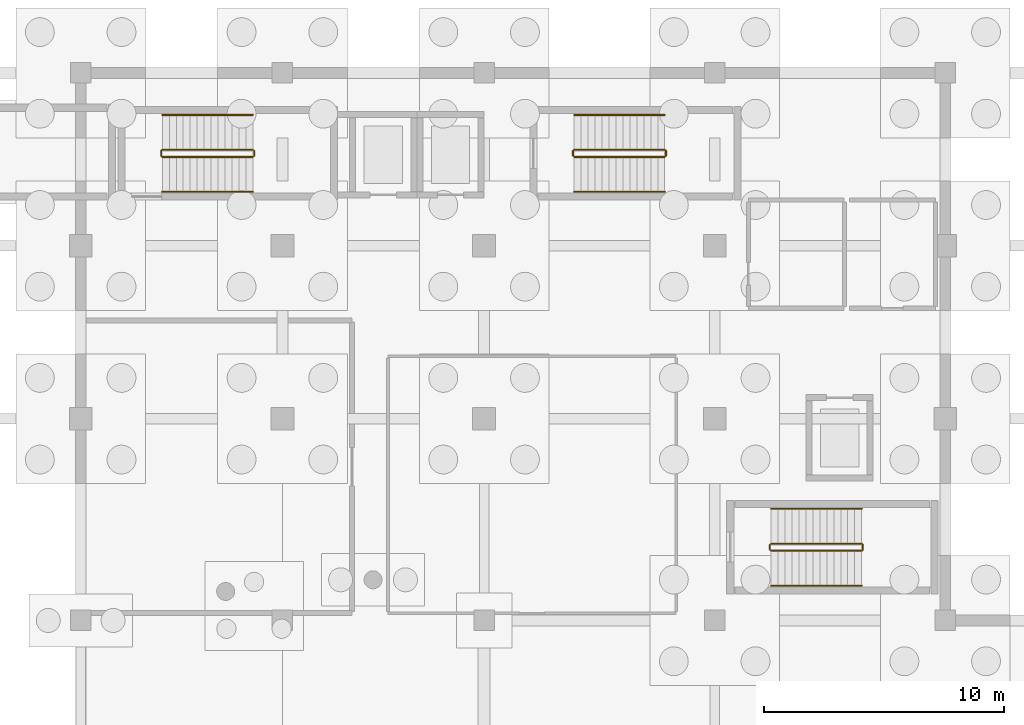
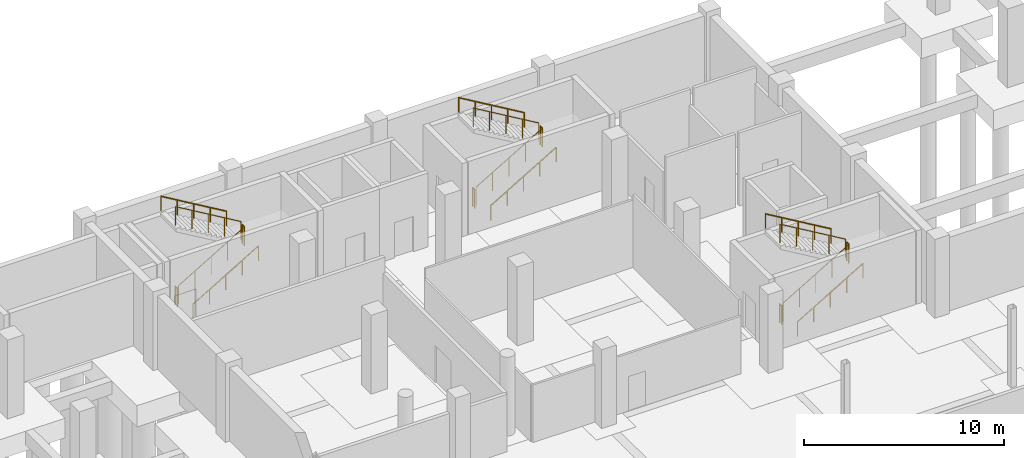
# One storey, part 43 of 44: 18 railings.
"""IFC4 building model written with IfcOpenShell, lengths in metres."""

from ifc_helpers import new_model, si_unit, direction, frame, origin, origin_2d, place, context, subcontext, project, spatial, circle, extrude, material, type_object, element, save


model = new_model("IFC4")

# Units and contexts
model_context = context("Model", 3, precision=1e-05, world=origin(), true_north=direction((0.0, 1.0)))
body_context = subcontext(model_context, "Body", "Model", "MODEL_VIEW")
ifc_project = project(units=[si_unit("LENGTHUNIT", "METRE"), si_unit("AREAUNIT", "SQUARE_METRE"), si_unit("VOLUMEUNIT", "CUBIC_METRE"), si_unit("PLANEANGLEUNIT", "RADIAN"), si_unit("MASSUNIT", "GRAM", prefix="KILO")], contexts=[model_context])

# Site, building, storey
site_placement = place(None, origin())
site = spatial("IfcSite", under=ifc_project, at=site_placement, CompositionType="ELEMENT")
building_placement = place(site_placement, origin())
building = spatial("IfcBuilding", under=site, at=building_placement, Name="Kisaragi Civic Commons", CompositionType="ELEMENT")
storey_placement = place(building_placement, frame((0.0, 0.0, -4.800048828125)))
storey = spatial("IfcBuildingStorey", under=building, at=storey_placement, Name="B1", CompositionType="ELEMENT", Elevation=-4.800048828125)

# Railings
ifc_material = material(Name="Powder-coated architectural steel and hinoki cap rail", Category="steel")
railing_type_1 = type_object("IfcRailingType", Name="GRD-S1", PredefinedType="GUARDRAIL", material=ifc_material)
railing_1_placement = place(storey_placement, frame((100.60009765625, 115.300048828125, 0.17138671875)))
element("IfcRailing", 1, at=railing_1_placement, inside=storey, type_object=railing_type_1, Name="B1 ST-L1 stair guard 1", PredefinedType="GUARDRAIL", context=body_context, shape_type="SweptSolid", body=[
    extrude(circle(Radius=0.02392578125, at=origin_2d()), frame((0.0, 0.0, 1.1259765625), z_axis=(0.860824410104, 0.0, 0.508902087802), x_axis=(0.0, 1.0, 0.0)), (0.0, 0.0, 1.0), 4.379638671875),
    extrude(circle(Radius=0.02099609375, at=origin_2d()), origin(), (0.0, 0.0, 1.0), 1.101806640625),
    extrude(circle(Radius=0.02099609375, at=origin_2d()), frame((0.9423828125, 0.0, 0.55712890625)), (0.0, 0.0, 1.0), 1.101806640625),
    extrude(circle(Radius=0.02099609375, at=origin_2d()), frame((1.885009765625, 0.0, 1.1142578125)), (0.0, 0.0, 1.0), 1.101806640625),
    extrude(circle(Radius=0.02099609375, at=origin_2d()), frame((2.82763671875, 0.0, 1.671630859375)), (0.0, 0.0, 1.0), 1.101806640625),
    extrude(circle(Radius=0.02099609375, at=origin_2d()), frame((3.77001953125, 0.0, 2.228759765625)), (0.0, 0.0, 1.0), 1.101806640625),
])
railing_2_placement = place(storey_placement, frame((104.419921875, 115.35009765625, 2.400146484375)))
element("IfcRailing", 2, at=railing_2_placement, inside=storey, type_object=railing_type_1, Name="B1 ST-L1 stair guard 2", PredefinedType="GUARDRAIL", context=body_context, shape_type="SweptSolid", body=[
    extrude(circle(Radius=0.02392578125, at=origin_2d()), frame((0.0, 0.0, 1.1259765625), z_axis=(0.0, 1.0, 0.0), x_axis=(-1.0, 0.0, 0.0)), (0.0, 0.0, 1.0), 0.199951171875),
    extrude(circle(Radius=0.02099609375, at=origin_2d()), origin(), (0.0, 0.0, 1.0), 1.101806640625),
    extrude(circle(Radius=0.02099609375, at=origin_2d()), frame((0.0, 0.199951171875, 0.0)), (0.0, 0.0, 1.0), 1.101806640625),
])
railing_3_placement = place(storey_placement, frame((104.3701171875, 115.60009765625, 2.571533203125)))
element("IfcRailing", 3, at=railing_3_placement, inside=storey, type_object=railing_type_1, Name="B1 ST-L1 stair guard 3", PredefinedType="GUARDRAIL", context=body_context, shape_type="SweptSolid", body=[
    extrude(circle(Radius=0.02392578125, at=origin_2d()), frame((0.0, 0.0, 1.1259765625), z_axis=(-0.860848830602, 0.0, 0.508860777473), x_axis=(0.0, -1.0, 0.0)), (0.0, 0.0, 1.0), 4.37939453125),
    extrude(circle(Radius=0.02099609375, at=origin_2d()), origin(), (0.0, 0.0, 1.0), 1.101806640625),
    extrude(circle(Radius=0.02099609375, at=origin_2d()), frame((-0.9423828125, 0.0, 0.55712890625)), (0.0, 0.0, 1.0), 1.101806640625),
    extrude(circle(Radius=0.02099609375, at=origin_2d()), frame((-1.885009765625, 0.0, 1.1142578125)), (0.0, 0.0, 1.0), 1.101806640625),
    extrude(circle(Radius=0.02099609375, at=origin_2d()), frame((-2.82763671875, 0.0, 1.67138671875)), (0.0, 0.0, 1.0), 1.101806640625),
    extrude(circle(Radius=0.02099609375, at=origin_2d()), frame((-3.77001953125, 0.0, 2.228515625)), (0.0, 0.0, 1.0), 1.101806640625),
])
railing_4_placement = place(storey_placement, frame((100.550048828125, 115.35009765625, 0.0)))
element("IfcRailing", 4, at=railing_4_placement, inside=storey, type_object=railing_type_1, Name="B1 ST-L1 stair guard 4", PredefinedType="GUARDRAIL", context=body_context, shape_type="SweptSolid", body=[
    extrude(circle(Radius=0.02392578125, at=origin_2d()), frame((0.0, 0.0, 1.1259765625), z_axis=(0.0, 1.0, 0.0), x_axis=(-1.0, 0.0, 0.0)), (0.0, 0.0, 1.0), 0.199951171875),
    extrude(circle(Radius=0.02099609375, at=origin_2d()), origin(), (0.0, 0.0, 1.0), 1.101806640625),
    extrude(circle(Radius=0.02099609375, at=origin_2d()), frame((0.0, 0.199951171875, 0.0)), (0.0, 0.0, 1.0), 1.101806640625),
])
railing_5_placement = place(storey_placement, frame((117.75, 115.300048828125, 0.17138671875)))
element("IfcRailing", 5, at=railing_5_placement, inside=storey, type_object=railing_type_1, Name="B1 ST-L2 stair guard 1", PredefinedType="GUARDRAIL", context=body_context, shape_type="SweptSolid", body=[
    extrude(circle(Radius=0.02392578125, at=origin_2d()), frame((0.0, 0.0, 1.1259765625), z_axis=(0.860824410104, 0.0, 0.508902087802), x_axis=(0.0, 1.0, 0.0)), (0.0, 0.0, 1.0), 4.379638671875),
    extrude(circle(Radius=0.02099609375, at=origin_2d()), origin(), (0.0, 0.0, 1.0), 1.101806640625),
    extrude(circle(Radius=0.02099609375, at=origin_2d()), frame((0.9423828125, 0.0, 0.55712890625)), (0.0, 0.0, 1.0), 1.101806640625),
    extrude(circle(Radius=0.02099609375, at=origin_2d()), frame((1.885009765625, 0.0, 1.1142578125)), (0.0, 0.0, 1.0), 1.101806640625),
    extrude(circle(Radius=0.02099609375, at=origin_2d()), frame((2.82763671875, 0.0, 1.671630859375)), (0.0, 0.0, 1.0), 1.101806640625),
    extrude(circle(Radius=0.02099609375, at=origin_2d()), frame((3.77001953125, 0.0, 2.228759765625)), (0.0, 0.0, 1.0), 1.101806640625),
])
railing_6_placement = place(storey_placement, frame((121.570068359375, 115.35009765625, 2.400146484375)))
element("IfcRailing", 6, at=railing_6_placement, inside=storey, type_object=railing_type_1, Name="B1 ST-L2 stair guard 2", PredefinedType="GUARDRAIL", context=body_context, shape_type="SweptSolid", body=[
    extrude(circle(Radius=0.02392578125, at=origin_2d()), frame((0.0, 0.0, 1.1259765625), z_axis=(0.0, 1.0, 0.0), x_axis=(-1.0, 0.0, 0.0)), (0.0, 0.0, 1.0), 0.199951171875),
    extrude(circle(Radius=0.02099609375, at=origin_2d()), origin(), (0.0, 0.0, 1.0), 1.101806640625),
    extrude(circle(Radius=0.02099609375, at=origin_2d()), frame((0.0, 0.199951171875, 0.0)), (0.0, 0.0, 1.0), 1.101806640625),
])
railing_7_placement = place(storey_placement, frame((121.52001953125, 115.60009765625, 2.571533203125)))
element("IfcRailing", 7, at=railing_7_placement, inside=storey, type_object=railing_type_1, Name="B1 ST-L2 stair guard 3", PredefinedType="GUARDRAIL", context=body_context, shape_type="SweptSolid", body=[
    extrude(circle(Radius=0.02392578125, at=origin_2d()), frame((0.0, 0.0, 1.1259765625), z_axis=(-0.860848830602, 0.0, 0.508860777473), x_axis=(0.0, -1.0, 0.0)), (0.0, 0.0, 1.0), 4.37939453125),
    extrude(circle(Radius=0.02099609375, at=origin_2d()), origin(), (0.0, 0.0, 1.0), 1.101806640625),
    extrude(circle(Radius=0.02099609375, at=origin_2d()), frame((-0.9423828125, 0.0, 0.55712890625)), (0.0, 0.0, 1.0), 1.101806640625),
    extrude(circle(Radius=0.02099609375, at=origin_2d()), frame((-1.885009765625, 0.0, 1.1142578125)), (0.0, 0.0, 1.0), 1.101806640625),
    extrude(circle(Radius=0.02099609375, at=origin_2d()), frame((-2.82763671875, 0.0, 1.67138671875)), (0.0, 0.0, 1.0), 1.101806640625),
    extrude(circle(Radius=0.02099609375, at=origin_2d()), frame((-3.77001953125, 0.0, 2.228515625)), (0.0, 0.0, 1.0), 1.101806640625),
])
railing_8_placement = place(storey_placement, frame((117.699951171875, 115.35009765625, 0.0)))
element("IfcRailing", 8, at=railing_8_placement, inside=storey, type_object=railing_type_1, Name="B1 ST-L2 stair guard 4", PredefinedType="GUARDRAIL", context=body_context, shape_type="SweptSolid", body=[
    extrude(circle(Radius=0.02392578125, at=origin_2d()), frame((0.0, 0.0, 1.1259765625), z_axis=(0.0, 1.0, 0.0), x_axis=(-1.0, 0.0, 0.0)), (0.0, 0.0, 1.0), 0.199951171875),
    extrude(circle(Radius=0.02099609375, at=origin_2d()), origin(), (0.0, 0.0, 1.0), 1.101806640625),
    extrude(circle(Radius=0.02099609375, at=origin_2d()), frame((0.0, 0.199951171875, 0.0)), (0.0, 0.0, 1.0), 1.101806640625),
])
railing_9_placement = place(storey_placement, frame((125.949951171875, 98.89990234375, 0.17138671875)))
element("IfcRailing", 9, at=railing_9_placement, inside=storey, type_object=railing_type_1, Name="B1 ST-L3 stair guard 1", PredefinedType="GUARDRAIL", context=body_context, shape_type="SweptSolid", body=[
    extrude(circle(Radius=0.02392578125, at=origin_2d()), frame((0.0, 0.0, 1.1259765625), z_axis=(0.860824410104, 0.0, 0.508902087802), x_axis=(0.0, 1.0, 0.0)), (0.0, 0.0, 1.0), 4.379638671875),
    extrude(circle(Radius=0.02099609375, at=origin_2d()), origin(), (0.0, 0.0, 1.0), 1.101806640625),
    extrude(circle(Radius=0.02099609375, at=origin_2d()), frame((0.9423828125, 0.0, 0.55712890625)), (0.0, 0.0, 1.0), 1.101806640625),
    extrude(circle(Radius=0.02099609375, at=origin_2d()), frame((1.885009765625, 0.0, 1.1142578125)), (0.0, 0.0, 1.0), 1.101806640625),
    extrude(circle(Radius=0.02099609375, at=origin_2d()), frame((2.82763671875, 0.0, 1.671630859375)), (0.0, 0.0, 1.0), 1.101806640625),
    extrude(circle(Radius=0.02099609375, at=origin_2d()), frame((3.77001953125, 0.0, 2.228759765625)), (0.0, 0.0, 1.0), 1.101806640625),
])
railing_10_placement = place(storey_placement, frame((129.77001953125, 98.949951171875, 2.400146484375)))
element("IfcRailing", 10, at=railing_10_placement, inside=storey, type_object=railing_type_1, Name="B1 ST-L3 stair guard 2", PredefinedType="GUARDRAIL", context=body_context, shape_type="SweptSolid", body=[
    extrude(circle(Radius=0.02392578125, at=origin_2d()), frame((0.0, 0.0, 1.1259765625), z_axis=(0.0, 1.0, 0.0), x_axis=(-1.0, 0.0, 0.0)), (0.0, 0.0, 1.0), 0.199951171875),
    extrude(circle(Radius=0.02099609375, at=origin_2d()), origin(), (0.0, 0.0, 1.0), 1.101806640625),
    extrude(circle(Radius=0.02099609375, at=origin_2d()), frame((0.0, 0.199951171875, 0.0)), (0.0, 0.0, 1.0), 1.101806640625),
])
railing_11_placement = place(storey_placement, frame((129.719970703125, 99.199951171875, 2.571533203125)))
element("IfcRailing", 11, at=railing_11_placement, inside=storey, type_object=railing_type_1, Name="B1 ST-L3 stair guard 3", PredefinedType="GUARDRAIL", context=body_context, shape_type="SweptSolid", body=[
    extrude(circle(Radius=0.02392578125, at=origin_2d()), frame((0.0, 0.0, 1.1259765625), z_axis=(-0.860848830602, 0.0, 0.508860777473), x_axis=(0.0, -1.0, 0.0)), (0.0, 0.0, 1.0), 4.37939453125),
    extrude(circle(Radius=0.02099609375, at=origin_2d()), origin(), (0.0, 0.0, 1.0), 1.101806640625),
    extrude(circle(Radius=0.02099609375, at=origin_2d()), frame((-0.9423828125, 0.0, 0.55712890625)), (0.0, 0.0, 1.0), 1.101806640625),
    extrude(circle(Radius=0.02099609375, at=origin_2d()), frame((-1.885009765625, 0.0, 1.1142578125)), (0.0, 0.0, 1.0), 1.101806640625),
    extrude(circle(Radius=0.02099609375, at=origin_2d()), frame((-2.82763671875, 0.0, 1.67138671875)), (0.0, 0.0, 1.0), 1.101806640625),
    extrude(circle(Radius=0.02099609375, at=origin_2d()), frame((-3.77001953125, 0.0, 2.228515625)), (0.0, 0.0, 1.0), 1.101806640625),
])
railing_12_placement = place(storey_placement, frame((125.89990234375, 98.949951171875, 0.0)))
element("IfcRailing", 12, at=railing_12_placement, inside=storey, type_object=railing_type_1, Name="B1 ST-L3 stair guard 4", PredefinedType="GUARDRAIL", context=body_context, shape_type="SweptSolid", body=[
    extrude(circle(Radius=0.02392578125, at=origin_2d()), frame((0.0, 0.0, 1.1259765625), z_axis=(0.0, 1.0, 0.0), x_axis=(-1.0, 0.0, 0.0)), (0.0, 0.0, 1.0), 0.199951171875),
    extrude(circle(Radius=0.02099609375, at=origin_2d()), origin(), (0.0, 0.0, 1.0), 1.101806640625),
    extrude(circle(Radius=0.02099609375, at=origin_2d()), frame((0.0, 0.199951171875, 0.0)), (0.0, 0.0, 1.0), 1.101806640625),
])
railing_type_2 = type_object("IfcRailingType", Name="HRL-01", PredefinedType="HANDRAIL", material=ifc_material)
railing_13_placement = place(storey_placement, frame((100.60009765625, 113.85009765625, 0.17138671875)))
element("IfcRailing", 13, at=railing_13_placement, inside=storey, type_object=railing_type_2, Name="B1 ST-L1 stair handrail 1", PredefinedType="HANDRAIL", context=body_context, shape_type="SweptSolid", body=[
    extrude(circle(Radius=0.02392578125, at=origin_2d()), frame((0.0, 0.0, 0.8759765625), z_axis=(0.860824410104, 0.0, 0.508902087802), x_axis=(0.0, 1.0, 0.0)), (0.0, 0.0, 1.0), 4.379638671875),
    extrude(circle(Radius=0.02099609375, at=origin_2d()), origin(), (0.0, 0.0, 1.0), 0.851806640625),
    extrude(circle(Radius=0.02099609375, at=origin_2d()), frame((0.9423828125, 0.0, 0.55712890625)), (0.0, 0.0, 1.0), 0.851806640625),
    extrude(circle(Radius=0.02099609375, at=origin_2d()), frame((1.885009765625, 0.0, 1.1142578125)), (0.0, 0.0, 1.0), 0.851806640625),
    extrude(circle(Radius=0.02099609375, at=origin_2d()), frame((2.82763671875, 0.0, 1.671630859375)), (0.0, 0.0, 1.0), 0.851806640625),
    extrude(circle(Radius=0.02099609375, at=origin_2d()), frame((3.77001953125, 0.0, 2.228759765625)), (0.0, 0.0, 1.0), 0.851806640625),
])
railing_14_placement = place(storey_placement, frame((104.3701171875, 117.050048828125, 2.571533203125)))
element("IfcRailing", 14, at=railing_14_placement, inside=storey, type_object=railing_type_2, Name="B1 ST-L1 stair handrail 2", PredefinedType="HANDRAIL", context=body_context, shape_type="SweptSolid", body=[
    extrude(circle(Radius=0.02392578125, at=origin_2d()), frame((0.0, 0.0, 0.8759765625), z_axis=(-0.860848830602, 0.0, 0.508860777473), x_axis=(0.0, -1.0, 0.0)), (0.0, 0.0, 1.0), 4.37939453125),
    extrude(circle(Radius=0.02099609375, at=origin_2d()), origin(), (0.0, 0.0, 1.0), 0.851806640625),
    extrude(circle(Radius=0.02099609375, at=origin_2d()), frame((-0.9423828125, 0.0, 0.55712890625)), (0.0, 0.0, 1.0), 0.851806640625),
    extrude(circle(Radius=0.02099609375, at=origin_2d()), frame((-1.885009765625, 0.0, 1.1142578125)), (0.0, 0.0, 1.0), 0.851806640625),
    extrude(circle(Radius=0.02099609375, at=origin_2d()), frame((-2.82763671875, 0.0, 1.67138671875)), (0.0, 0.0, 1.0), 0.851806640625),
    extrude(circle(Radius=0.02099609375, at=origin_2d()), frame((-3.77001953125, 0.0, 2.228515625)), (0.0, 0.0, 1.0), 0.851806640625),
])
railing_15_placement = place(storey_placement, frame((117.75, 113.85009765625, 0.17138671875)))
element("IfcRailing", 15, at=railing_15_placement, inside=storey, type_object=railing_type_2, Name="B1 ST-L2 stair handrail 1", PredefinedType="HANDRAIL", context=body_context, shape_type="SweptSolid", body=[
    extrude(circle(Radius=0.02392578125, at=origin_2d()), frame((0.0, 0.0, 0.8759765625), z_axis=(0.860824410104, 0.0, 0.508902087802), x_axis=(0.0, 1.0, 0.0)), (0.0, 0.0, 1.0), 4.379638671875),
    extrude(circle(Radius=0.02099609375, at=origin_2d()), origin(), (0.0, 0.0, 1.0), 0.851806640625),
    extrude(circle(Radius=0.02099609375, at=origin_2d()), frame((0.9423828125, 0.0, 0.55712890625)), (0.0, 0.0, 1.0), 0.851806640625),
    extrude(circle(Radius=0.02099609375, at=origin_2d()), frame((1.885009765625, 0.0, 1.1142578125)), (0.0, 0.0, 1.0), 0.851806640625),
    extrude(circle(Radius=0.02099609375, at=origin_2d()), frame((2.82763671875, 0.0, 1.671630859375)), (0.0, 0.0, 1.0), 0.851806640625),
    extrude(circle(Radius=0.02099609375, at=origin_2d()), frame((3.77001953125, 0.0, 2.228759765625)), (0.0, 0.0, 1.0), 0.851806640625),
])
railing_16_placement = place(storey_placement, frame((121.52001953125, 117.050048828125, 2.571533203125)))
element("IfcRailing", 16, at=railing_16_placement, inside=storey, type_object=railing_type_2, Name="B1 ST-L2 stair handrail 2", PredefinedType="HANDRAIL", context=body_context, shape_type="SweptSolid", body=[
    extrude(circle(Radius=0.02392578125, at=origin_2d()), frame((0.0, 0.0, 0.8759765625), z_axis=(-0.860848830602, 0.0, 0.508860777473), x_axis=(0.0, -1.0, 0.0)), (0.0, 0.0, 1.0), 4.37939453125),
    extrude(circle(Radius=0.02099609375, at=origin_2d()), origin(), (0.0, 0.0, 1.0), 0.851806640625),
    extrude(circle(Radius=0.02099609375, at=origin_2d()), frame((-0.9423828125, 0.0, 0.55712890625)), (0.0, 0.0, 1.0), 0.851806640625),
    extrude(circle(Radius=0.02099609375, at=origin_2d()), frame((-1.885009765625, 0.0, 1.1142578125)), (0.0, 0.0, 1.0), 0.851806640625),
    extrude(circle(Radius=0.02099609375, at=origin_2d()), frame((-2.82763671875, 0.0, 1.67138671875)), (0.0, 0.0, 1.0), 0.851806640625),
    extrude(circle(Radius=0.02099609375, at=origin_2d()), frame((-3.77001953125, 0.0, 2.228515625)), (0.0, 0.0, 1.0), 0.851806640625),
])
railing_17_placement = place(storey_placement, frame((125.949951171875, 97.449951171875, 0.17138671875)))
element("IfcRailing", 17, at=railing_17_placement, inside=storey, type_object=railing_type_2, Name="B1 ST-L3 stair handrail 1", PredefinedType="HANDRAIL", context=body_context, shape_type="SweptSolid", body=[
    extrude(circle(Radius=0.02392578125, at=origin_2d()), frame((0.0, 0.0, 0.8759765625), z_axis=(0.860824410104, 0.0, 0.508902087802), x_axis=(0.0, 1.0, 0.0)), (0.0, 0.0, 1.0), 4.379638671875),
    extrude(circle(Radius=0.02099609375, at=origin_2d()), origin(), (0.0, 0.0, 1.0), 0.851806640625),
    extrude(circle(Radius=0.02099609375, at=origin_2d()), frame((0.9423828125, 0.0, 0.55712890625)), (0.0, 0.0, 1.0), 0.851806640625),
    extrude(circle(Radius=0.02099609375, at=origin_2d()), frame((1.885009765625, 0.0, 1.1142578125)), (0.0, 0.0, 1.0), 0.851806640625),
    extrude(circle(Radius=0.02099609375, at=origin_2d()), frame((2.82763671875, 0.0, 1.671630859375)), (0.0, 0.0, 1.0), 0.851806640625),
    extrude(circle(Radius=0.02099609375, at=origin_2d()), frame((3.77001953125, 0.0, 2.228759765625)), (0.0, 0.0, 1.0), 0.851806640625),
])
railing_18_placement = place(storey_placement, frame((129.719970703125, 100.64990234375, 2.571533203125)))
element("IfcRailing", 18, at=railing_18_placement, inside=storey, type_object=railing_type_2, Name="B1 ST-L3 stair handrail 2", PredefinedType="HANDRAIL", context=body_context, shape_type="SweptSolid", body=[
    extrude(circle(Radius=0.02392578125, at=origin_2d()), frame((0.0, 0.0, 0.8759765625), z_axis=(-0.860848830602, 0.0, 0.508860777473), x_axis=(0.0, -1.0, 0.0)), (0.0, 0.0, 1.0), 4.37939453125),
    extrude(circle(Radius=0.02099609375, at=origin_2d()), origin(), (0.0, 0.0, 1.0), 0.851806640625),
    extrude(circle(Radius=0.02099609375, at=origin_2d()), frame((-0.9423828125, 0.0, 0.55712890625)), (0.0, 0.0, 1.0), 0.851806640625),
    extrude(circle(Radius=0.02099609375, at=origin_2d()), frame((-1.885009765625, 0.0, 1.1142578125)), (0.0, 0.0, 1.0), 0.851806640625),
    extrude(circle(Radius=0.02099609375, at=origin_2d()), frame((-2.82763671875, 0.0, 1.67138671875)), (0.0, 0.0, 1.0), 0.851806640625),
    extrude(circle(Radius=0.02099609375, at=origin_2d()), frame((-3.77001953125, 0.0, 2.228515625)), (0.0, 0.0, 1.0), 0.851806640625),
])

save(model, "model.ifc")
